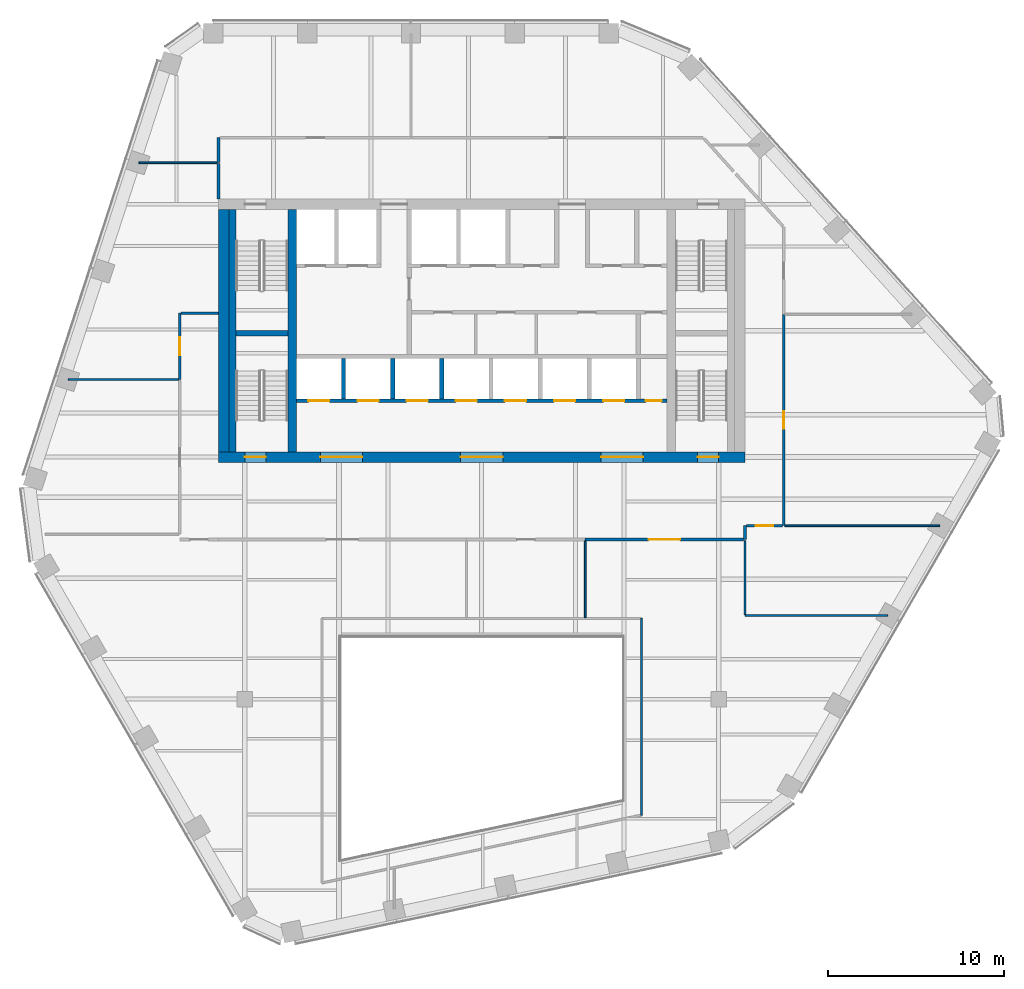
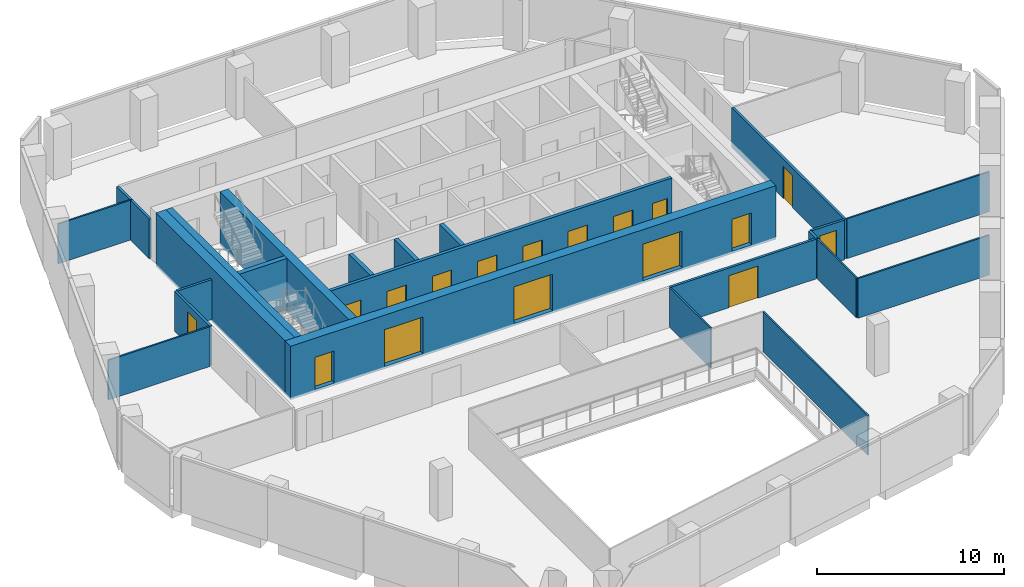
# One storey, part 9 of 16: 24 walls, 17 doors, 17 openings.
"""IFC4 building model written with IfcOpenShell, lengths in metres."""

from ifc_helpers import new_model, si_unit, direction, frame, frame_2d, origin, place, context, subcontext, project, spatial, rectangle, extrude, material, layer, layer_set, type_object, element, fill, save


model = new_model("IFC4")

# Units and contexts
model_context = context("Model", 3, precision=1e-05, world=origin(), true_north=direction((0.0, 1.0)))
body_context = subcontext(model_context, "Body", "Model", "MODEL_VIEW")
ifc_project = project(units=[si_unit("LENGTHUNIT", "METRE"), si_unit("AREAUNIT", "SQUARE_METRE"), si_unit("VOLUMEUNIT", "CUBIC_METRE"), si_unit("PLANEANGLEUNIT", "RADIAN"), si_unit("MASSUNIT", "GRAM", prefix="KILO")], contexts=[model_context])

# Site, building, storey
site_placement = place(None, origin())
site = spatial("IfcSite", under=ifc_project, at=site_placement, CompositionType="ELEMENT")
building_placement = place(site_placement, origin())
building = spatial("IfcBuilding", under=site, at=building_placement, Name="Isthmus Gate Tower", CompositionType="ELEMENT")
storey_placement = place(building_placement, frame((0.0, 0.0, 252.800048828125)))
storey = spatial("IfcBuildingStorey", under=building, at=storey_placement, Name="L64", CompositionType="ELEMENT", Elevation=252.800048828125)

# Walls
ifc_material_1 = material(Name="Fire-rated laminated glass in steel frame", Category="steel")
ifc_layer_1 = layer(ifc_material_1, 0.10009765625)
ifc_layer_set_1 = layer_set([ifc_layer_1], Name="ATRIUM SCREEN GLAZED WALL 100 120 MIN")
wall_type_1 = type_object("IfcWallType", Name="ATRIUM SCREEN GLAZED WALL 100 120 MIN", PredefinedType="PARTITIONING", material=ifc_layer_set_1)
wall_1_placement = place(storey_placement, frame((9.10009765625, -8.89990234375, 0.0), z_axis=(0.0, 0.0, 1.0), x_axis=(0.0, -1.0, 0.0)))
element("IfcWall", 1, at=wall_1_placement, inside=storey, type_object=wall_type_1, Name="L64 atrium screen", PredefinedType="PARTITIONING", context=body_context, shape_type="SweptSolid", body=[
    extrude(rectangle(XDim=11.200927734375, YDim=0.10009765625, at=frame_2d((5.6005859375, 0.0))), origin(), (0.0, 0.0, 1.0), 2.6005859375),
])
ifc_material_2 = material(Name="Gypsum board on steel studs, fire-rated", Category="steel")
ifc_layer_2 = layer(ifc_material_2, 0.14990234375)
ifc_layer_set_2 = layer_set([ifc_layer_2], Name="CORRIDOR WALL 150 60 MIN")
wall_type_2 = type_object("IfcWallType", Name="CORRIDOR WALL 150 60 MIN", PredefinedType="PARTITIONING", material=ifc_layer_set_2)
wall_2_placement = place(storey_placement, frame((15.0, -3.614013671875, 0.0), z_axis=(0.0, 0.0, 1.0), x_axis=(0.0, -1.0, 0.0)))
element("IfcWall", 2, at=wall_2_placement, inside=storey, type_object=wall_type_2, Name="L64 Corridor Wall 150 60 Min", PredefinedType="PARTITIONING", context=body_context, shape_type="SweptSolid", body=[
    extrude(rectangle(XDim=0.785888671875, YDim=0.14990234375, at=frame_2d((0.39306640625, 0.0))), origin(), (0.0, 0.0, 1.0), 2.6005859375),
])

# Wall, opening, door
wall_3_placement = place(storey_placement, frame((14.925048828125, -4.39990234375, 0.0), z_axis=(0.0, 0.0, 1.0), x_axis=(-1.0, 0.0, 0.0)))
wall_3 = element("IfcWall", 3, at=wall_3_placement, inside=storey, type_object=wall_type_2, Name="L64 Corridor Wall 150 60 Min", PredefinedType="PARTITIONING", context=body_context, shape_type="SweptSolid", body=[
    extrude(rectangle(XDim=9.032958984375, YDim=0.14990234375, at=frame_2d((4.5166015625, 0.0))), origin(), (0.0, 0.0, 1.0), 2.6005859375),
])
opening_1_placement = place(wall_3_placement, frame((3.616455078125, 0.0, 0.0)))
opening_1 = element("IfcOpeningElement", 4, at=opening_1_placement, cuts=wall_3, Name="Opening DT-T5D-10", PredefinedType="OPENING", context=body_context, shape_type="SweptSolid", body=[
    extrude(rectangle(XDim=1.800048828125, YDim=2.10009765625, at=frame_2d((0.89990234375, 1.050048828125))), frame((0.0, 0.0849609375, 0.0), z_axis=(0.0, -1.0, 0.0), x_axis=(1.0, 0.0, 0.0)), (0.0, 0.0, 1.0), 0.169921875),
])
ifc_material_3 = material(Name="Solid core timber door leaf, fire-rated", Category="wood")
door_type_1 = type_object("IfcDoorType", Name="FIRE DOOR ROOM 1800 X 2100 60 MIN", OperationType="DOUBLE_DOOR_DOUBLE_SWING", PredefinedType="DOOR", material=ifc_material_3)
door_1_placement = place(opening_1_placement, origin())
door_1 = element("IfcDoor", 5, at=door_1_placement, inside=storey, type_object=door_type_1, Name="L64 room door", OperationType="DOUBLE_DOOR_DOUBLE_SWING", OverallHeight=2.10009765625, OverallWidth=1.800048828125, PredefinedType="DOOR", context=body_context, shape_type="SweptSolid", body=[
    extrude(rectangle(XDim=1.800048828125, YDim=2.10009765625, at=frame_2d((0.89990234375, 1.050048828125))), frame((0.0, 0.02490234375, 0.0), z_axis=(0.0, -1.0, 0.0), x_axis=(1.0, 0.0, 0.0)), (0.0, 0.0, 1.0), 0.050048828125),
])
fill(opening_1, door_1)

wall_4_placement = place(storey_placement, frame((17.199951171875, 8.427978515625, 0.0), z_axis=(0.0, 0.0, 1.0), x_axis=(0.0, -1.0, 0.0)))
wall_4 = element("IfcWall", 6, at=wall_4_placement, inside=storey, type_object=wall_type_2, Name="L64 Corridor Wall 150 60 Min", PredefinedType="PARTITIONING", context=body_context, shape_type="SweptSolid", body=[
    extrude(rectangle(XDim=12.0419921875, YDim=0.14990234375, at=frame_2d((6.02099609375, 0.0))), origin(), (0.0, 0.0, 1.0), 2.6005859375),
])
opening_2_placement = place(wall_4_placement, frame((5.52099609375, 0.0, 0.0)))
opening_2 = element("IfcOpeningElement", 7, at=opening_2_placement, cuts=wall_4, Name="Opening DT-T5D-05", PredefinedType="OPENING", context=body_context, shape_type="SweptSolid", body=[
    extrude(rectangle(XDim=1.0, YDim=2.10009765625, at=frame_2d((0.5, 1.050048828125))), frame((0.0, 0.0849609375, 0.0), z_axis=(0.0, -1.0, 0.0), x_axis=(1.0, 0.0, 0.0)), (0.0, 0.0, 1.0), 0.169921875),
])
ifc_material_4 = material(Name="Solid core timber door leaf, fire-rated", Category="wood")
door_type_2 = type_object("IfcDoorType", Name="FIRE DOOR ROOM 1000 X 2100 60 MIN", OperationType="SINGLE_SWING_LEFT", PredefinedType="DOOR", material=ifc_material_4)
door_2_placement = place(opening_2_placement, origin())
door_2 = element("IfcDoor", 8, at=door_2_placement, inside=storey, type_object=door_type_2, Name="L64 room door", OperationType="SINGLE_SWING_RIGHT", OverallHeight=2.10009765625, OverallWidth=1.0, PredefinedType="DOOR", context=body_context, shape_type="SweptSolid", body=[
    extrude(rectangle(XDim=1.0, YDim=2.10009765625, at=frame_2d((0.5, 1.050048828125))), frame((0.0, 0.02490234375, 0.0), z_axis=(0.0, -1.0, 0.0), x_axis=(1.0, 0.0, 0.0)), (0.0, 0.0, 1.0), 0.050048828125),
])
fill(opening_2, door_2)

wall_5_placement = place(storey_placement, frame((17.125, -3.614013671875, 0.0), z_axis=(0.0, 0.0, 1.0), x_axis=(-1.0, 0.0, 0.0)))
wall_5 = element("IfcWall", 9, at=wall_5_placement, inside=storey, type_object=wall_type_2, Name="L64 Corridor Wall 150 60 Min", PredefinedType="PARTITIONING", context=body_context, shape_type="SweptSolid", body=[
    extrude(rectangle(XDim=2.050048828125, YDim=0.14990234375, at=frame_2d((1.02490234375, 0.0))), origin(), (0.0, 0.0, 1.0), 2.6005859375),
])
opening_3_placement = place(wall_5_placement, frame((0.52490234375, 0.0, 0.0)))
opening_3 = element("IfcOpeningElement", 10, at=opening_3_placement, cuts=wall_5, Name="Opening DT-T5D-07", PredefinedType="OPENING", context=body_context, shape_type="SweptSolid", body=[
    extrude(rectangle(XDim=1.0, YDim=2.10009765625, at=frame_2d((0.5, 1.050048828125))), frame((0.0, 0.0849609375, 0.0), z_axis=(0.0, -1.0, 0.0), x_axis=(1.0, 0.0, 0.0)), (0.0, 0.0, 1.0), 0.169921875),
])
door_3_placement = place(opening_3_placement, origin())
door_3 = element("IfcDoor", 11, at=door_3_placement, inside=storey, type_object=door_type_2, Name="L64 room door", OperationType="SINGLE_SWING_RIGHT", OverallHeight=2.10009765625, OverallWidth=1.0, PredefinedType="DOOR", context=body_context, shape_type="SweptSolid", body=[
    extrude(rectangle(XDim=1.0, YDim=2.10009765625, at=frame_2d((0.5, 1.050048828125))), frame((0.0, 0.02490234375, 0.0), z_axis=(0.0, -1.0, 0.0), x_axis=(1.0, 0.0, 0.0)), (0.0, 0.0, 1.0), 0.050048828125),
])
fill(opening_3, door_3)

# Walls
wall_6_placement = place(storey_placement, frame((-15.0, 17.071044921875, 0.0), z_axis=(0.0, 0.0, 1.0), x_axis=(0.0, 1.0, 0.0)))
element("IfcWall", 12, at=wall_6_placement, inside=storey, type_object=wall_type_2, Name="L64 Corridor Wall 150 60 Min", PredefinedType="PARTITIONING", context=body_context, shape_type="SweptSolid", body=[
    extrude(rectangle(XDim=1.428955078125, YDim=0.14990234375, at=frame_2d((0.71435546875, 0.0))), origin(), (0.0, 0.0, 1.0), 2.6005859375),
])
wall_7_placement = place(storey_placement, frame((-15.001953125, 14.998046875, 0.0), z_axis=(0.0, 0.0, 1.0), x_axis=(0.000965483499, 0.999999533921, 0.0)))
element("IfcWall", 13, at=wall_7_placement, inside=storey, type_object=wall_type_2, Name="L64 Corridor Wall 150 60 Min", PredefinedType="PARTITIONING", context=body_context, shape_type="SweptSolid", body=[
    extrude(rectangle(XDim=2.02294921875, YDim=0.14990234375, at=frame_2d((1.011474609375, 0.0))), origin(), (0.0, 0.0, 1.0), 2.6005859375),
])

# Wall, opening, door
wall_8_placement = place(storey_placement, frame((-17.199951171875, 4.722900390625, 0.0), z_axis=(0.0, 0.0, 1.0), x_axis=(0.0, 1.0, 0.0)))
wall_8 = element("IfcWall", 14, at=wall_8_placement, inside=storey, type_object=wall_type_2, Name="L64 Corridor Wall 150 60 Min", PredefinedType="PARTITIONING", context=body_context, shape_type="SweptSolid", body=[
    extrude(rectangle(XDim=3.777099609375, YDim=0.14990234375, at=frame_2d((1.888671875, 0.0))), origin(), (0.0, 0.0, 1.0), 2.6005859375),
])
opening_4_placement = place(wall_8_placement, frame((1.388427734375, 0.0, 0.0)))
opening_4 = element("IfcOpeningElement", 15, at=opening_4_placement, cuts=wall_8, Name="Opening DT-T5D-03", PredefinedType="OPENING", context=body_context, shape_type="SweptSolid", body=[
    extrude(rectangle(XDim=1.0, YDim=2.10009765625, at=frame_2d((0.5, 1.050048828125))), frame((0.0, 0.0849609375, 0.0), z_axis=(0.0, -1.0, 0.0), x_axis=(1.0, 0.0, 0.0)), (0.0, 0.0, 1.0), 0.169921875),
])
door_4_placement = place(opening_4_placement, origin())
door_4 = element("IfcDoor", 16, at=door_4_placement, inside=storey, type_object=door_type_2, Name="L64 room door", OperationType="SINGLE_SWING_RIGHT", OverallHeight=2.10009765625, OverallWidth=1.0, PredefinedType="DOOR", context=body_context, shape_type="SweptSolid", body=[
    extrude(rectangle(XDim=1.0, YDim=2.10009765625, at=frame_2d((0.5, 1.050048828125))), frame((0.0, 0.02490234375, 0.0), z_axis=(0.0, -1.0, 0.0), x_axis=(1.0, 0.0, 0.0)), (0.0, 0.0, 1.0), 0.050048828125),
])
fill(opening_4, door_4)

# Walls
wall_9_placement = place(storey_placement, frame((-17.125, 8.5, 0.0), z_axis=(0.0, 0.0, 1.0), x_axis=(1.0, 0.0, 0.0)))
element("IfcWall", 17, at=wall_9_placement, inside=storey, type_object=wall_type_2, Name="L64 Corridor Wall 150 60 Min", PredefinedType="PARTITIONING", context=body_context, shape_type="SweptSolid", body=[
    extrude(rectangle(XDim=2.125, YDim=0.14990234375, at=frame_2d((1.0625, 0.0))), origin(), (0.0, 0.0, 1.0), 2.6005859375),
])
ifc_material_5 = material(Name="Concrete f'c 50 MPa", Category="concrete")
ifc_layer_3 = layer(ifc_material_5, 0.5)
ifc_layer_set_3 = layer_set([ifc_layer_3], Name="RC CORE SPINE WALL 500 F'C 50")
wall_type_3 = type_object("IfcWallType", Name="RC CORE SPINE WALL 500 F'C 50", PredefinedType="SOLIDWALL", material=ifc_layer_set_3)
wall_10_placement = place(storey_placement, frame((-10.800048828125, 0.60009765625, -0.150146484375), z_axis=(0.0, 0.0, 1.0), x_axis=(0.0, 1.0, 0.0)))
element("IfcWall", 18, at=wall_10_placement, inside=storey, type_object=wall_type_3, Name="str-corewall-L64-SPW", PredefinedType="SOLIDWALL", context=body_context, shape_type="SweptSolid", body=[
    extrude(rectangle(XDim=13.7998046875, YDim=0.5, at=frame_2d((6.89990234375, 0.0))), origin(), (0.0, 0.0, 1.0), 3.5),
])

# Wall, openings, doors
ifc_material_6 = material(Name="Concrete f'c 50 MPa", Category="concrete")
ifc_layer_4 = layer(ifc_material_6, 0.60009765625)
ifc_layer_set_4 = layer_set([ifc_layer_4], Name="RC CORE WALL 600 F'C 50")
wall_type_4 = type_object("IfcWallType", Name="RC CORE WALL 600 F'C 50", PredefinedType="SOLIDWALL", material=ifc_layer_set_4)
wall_11_placement = place(storey_placement, frame((-15.0, 0.300048828125, -0.150146484375), z_axis=(0.0, 0.0, 1.0), x_axis=(1.0, 0.0, 0.0)))
wall_11 = element("IfcWall", 19, at=wall_11_placement, inside=storey, type_object=wall_type_4, Name="str-corewall-L64-S", PredefinedType="SOLIDWALL", context=body_context, shape_type="SweptSolid", body=[
    extrude(rectangle(XDim=30.0, YDim=0.60009765625, at=frame_2d((15.0, 0.0))), origin(), (0.0, 0.0, 1.0), 3.5),
])
opening_5_placement = place(wall_11_placement, frame((5.800048828125, 0.0, 0.14990234375)))
opening_5 = element("IfcOpeningElement", 20, at=opening_5_placement, cuts=wall_11, Name="Opening DC-A18-10", PredefinedType="OPENING", context=body_context, shape_type="SweptSolid", body=[
    extrude(rectangle(XDim=2.39990234375, YDim=2.39990234375, at=frame_2d((1.199951171875, 1.199951171875))), frame((0.0, 0.31005859375, 0.0), z_axis=(0.0, -1.0, 0.0), x_axis=(1.0, 0.0, 0.0)), (0.0, 0.0, 1.0), 0.6201171875),
])
opening_6_placement = place(wall_11_placement, frame((13.800048828125, 0.0, 0.14990234375)))
opening_6 = element("IfcOpeningElement", 21, at=opening_6_placement, cuts=wall_11, Name="Opening DC-A18-11", PredefinedType="OPENING", context=body_context, shape_type="SweptSolid", body=[
    extrude(rectangle(XDim=2.39990234375, YDim=2.39990234375, at=frame_2d((1.199951171875, 1.199951171875))), frame((0.0, 0.31005859375, 0.0), z_axis=(0.0, -1.0, 0.0), x_axis=(1.0, 0.0, 0.0)), (0.0, 0.0, 1.0), 0.6201171875),
])
opening_7_placement = place(wall_11_placement, frame((21.800048828125, 0.0, 0.14990234375)))
opening_7 = element("IfcOpeningElement", 22, at=opening_7_placement, cuts=wall_11, Name="Opening DC-A18-12", PredefinedType="OPENING", context=body_context, shape_type="SweptSolid", body=[
    extrude(rectangle(XDim=2.39990234375, YDim=2.39990234375, at=frame_2d((1.199951171875, 1.199951171875))), frame((0.0, 0.31005859375, 0.0), z_axis=(0.0, -1.0, 0.0), x_axis=(1.0, 0.0, 0.0)), (0.0, 0.0, 1.0), 0.6201171875),
])
opening_8_placement = place(wall_11_placement, frame((1.5, 0.0, 0.14990234375)))
opening_8 = element("IfcOpeningElement", 23, at=opening_8_placement, cuts=wall_11, Name="Opening DC-A18-17", PredefinedType="OPENING", context=body_context, shape_type="SweptSolid", body=[
    extrude(rectangle(XDim=1.199951171875, YDim=2.10009765625, at=frame_2d((0.60009765625, 1.050048828125))), frame((0.0, 0.31005859375, 0.0), z_axis=(0.0, -1.0, 0.0), x_axis=(1.0, 0.0, 0.0)), (0.0, 0.0, 1.0), 0.6201171875),
])
opening_9_placement = place(wall_11_placement, frame((27.300048828125, 0.0, 0.14990234375)))
opening_9 = element("IfcOpeningElement", 24, at=opening_9_placement, cuts=wall_11, Name="Opening DC-A18-18", PredefinedType="OPENING", context=body_context, shape_type="SweptSolid", body=[
    extrude(rectangle(XDim=1.199951171875, YDim=2.10009765625, at=frame_2d((0.60009765625, 1.050048828125))), frame((0.0, 0.31005859375, 0.0), z_axis=(0.0, -1.0, 0.0), x_axis=(1.0, 0.0, 0.0)), (0.0, 0.0, 1.0), 0.6201171875),
])
ifc_material_7 = material(Name="Laminated safety glass in steel frame, fire-rated", Category="steel")
door_type_3 = type_object("IfcDoorType", Name="LOBBY ENTRANCE FIRE DOOR 2400 X 2400 60 MIN", OperationType="DOUBLE_DOOR_DOUBLE_SWING", PredefinedType="DOOR", material=ifc_material_7)
door_5_placement = place(opening_5_placement, origin())
door_5 = element("IfcDoor", 25, at=door_5_placement, inside=storey, type_object=door_type_3, Name="Lobby Entrance PS-W", OperationType="DOUBLE_DOOR_DOUBLE_SWING", OverallHeight=2.39990234375, OverallWidth=2.39990234375, PredefinedType="DOOR", context=body_context, shape_type="SweptSolid", body=[
    extrude(rectangle(XDim=2.39990234375, YDim=2.39990234375, at=frame_2d((1.199951171875, 1.199951171875))), frame((0.0, 0.02490234375, 0.0), z_axis=(0.0, -1.0, 0.0), x_axis=(1.0, 0.0, 0.0)), (0.0, 0.0, 1.0), 0.050048828125),
])
fill(opening_5, door_5)
door_6_placement = place(opening_6_placement, origin())
door_6 = element("IfcDoor", 26, at=door_6_placement, inside=storey, type_object=door_type_3, Name="Lobby Entrance PS-C", OperationType="DOUBLE_DOOR_DOUBLE_SWING", OverallHeight=2.39990234375, OverallWidth=2.39990234375, PredefinedType="DOOR", context=body_context, shape_type="SweptSolid", body=[
    extrude(rectangle(XDim=2.39990234375, YDim=2.39990234375, at=frame_2d((1.199951171875, 1.199951171875))), frame((0.0, 0.02490234375, 0.0), z_axis=(0.0, -1.0, 0.0), x_axis=(1.0, 0.0, 0.0)), (0.0, 0.0, 1.0), 0.050048828125),
])
fill(opening_6, door_6)
door_7_placement = place(opening_7_placement, origin())
door_7 = element("IfcDoor", 27, at=door_7_placement, inside=storey, type_object=door_type_3, Name="Lobby Entrance PS-E", OperationType="DOUBLE_DOOR_DOUBLE_SWING", OverallHeight=2.39990234375, OverallWidth=2.39990234375, PredefinedType="DOOR", context=body_context, shape_type="SweptSolid", body=[
    extrude(rectangle(XDim=2.39990234375, YDim=2.39990234375, at=frame_2d((1.199951171875, 1.199951171875))), frame((0.0, 0.02490234375, 0.0), z_axis=(0.0, -1.0, 0.0), x_axis=(1.0, 0.0, 0.0)), (0.0, 0.0, 1.0), 0.050048828125),
])
fill(opening_7, door_7)
ifc_material_8 = material(Name="Steel door leaf, fire-rated", Category="steel")
door_type_4 = type_object("IfcDoorType", Name="STAIR FIRE DOOR 1200 X 2100 90 MIN", OperationType="SINGLE_SWING_LEFT", PredefinedType="DOOR", material=ifc_material_8)
door_8_placement = place(opening_8_placement, origin())
door_8 = element("IfcDoor", 28, at=door_8_placement, inside=storey, type_object=door_type_4, Name="Exit Stair 7 Door", OperationType="SINGLE_SWING_LEFT", OverallHeight=2.10009765625, OverallWidth=1.199951171875, PredefinedType="DOOR", context=body_context, shape_type="SweptSolid", body=[
    extrude(rectangle(XDim=1.199951171875, YDim=2.10009765625, at=frame_2d((0.60009765625, 1.050048828125))), frame((0.0, 0.02490234375, 0.0), z_axis=(0.0, -1.0, 0.0), x_axis=(1.0, 0.0, 0.0)), (0.0, 0.0, 1.0), 0.050048828125),
])
fill(opening_8, door_8)
door_9_placement = place(opening_9_placement, origin())
door_9 = element("IfcDoor", 29, at=door_9_placement, inside=storey, type_object=door_type_4, Name="Exit Stair 8 Door", OperationType="SINGLE_SWING_RIGHT", OverallHeight=2.10009765625, OverallWidth=1.199951171875, PredefinedType="DOOR", context=body_context, shape_type="SweptSolid", body=[
    extrude(rectangle(XDim=1.199951171875, YDim=2.10009765625, at=frame_2d((0.60009765625, 1.050048828125))), frame((0.0, 0.02490234375, 0.0), z_axis=(0.0, -1.0, 0.0), x_axis=(1.0, 0.0, 0.0)), (0.0, 0.0, 1.0), 0.050048828125),
])
fill(opening_9, door_9)

# Walls
wall_12_placement = place(storey_placement, frame((-14.699951171875, 0.60009765625, -0.150146484375), z_axis=(0.0, 0.0, 1.0), x_axis=(0.0, 1.0, 0.0)))
element("IfcWall", 30, at=wall_12_placement, inside=storey, type_object=wall_type_4, Name="str-corewall-L64-W", PredefinedType="SOLIDWALL", context=body_context, shape_type="SweptSolid", body=[
    extrude(rectangle(XDim=13.7998046875, YDim=0.60009765625, at=frame_2d((6.89990234375, 0.0))), origin(), (0.0, 0.0, 1.0), 3.5),
])
ifc_material_9 = material(Name="Gypsum board on steel studs, fire-rated", Category="steel")
ifc_layer_5 = layer(ifc_material_9, 0.10009765625)
ifc_layer_set_5 = layer_set([ifc_layer_5], Name="ROOM PARTITION 100 30 MIN")
wall_type_5 = type_object("IfcWallType", Name="ROOM PARTITION 100 30 MIN", PredefinedType="PARTITIONING", material=ifc_layer_set_5)
wall_13_placement = place(storey_placement, frame((-19.534912109375, 17.071044921875, 0.0), z_axis=(0.0, 0.0, 1.0), x_axis=(1.0, 0.0, 0.0)))
element("IfcWall", 31, at=wall_13_placement, inside=storey, type_object=wall_type_5, Name="L64 Room Partition 100 30 Min", PredefinedType="PARTITIONING", context=body_context, shape_type="SweptSolid", body=[
    extrude(rectangle(XDim=4.4599609375, YDim=0.10009765625, at=frame_2d((2.22998046875, 0.0))), origin(), (0.0, 0.0, 1.0), 2.6005859375),
])
wall_14_placement = place(storey_placement, frame((-23.547119140625, 4.722900390625, 0.0), z_axis=(0.0, 0.0, 1.0), x_axis=(1.0, 0.0, 0.0)))
element("IfcWall", 32, at=wall_14_placement, inside=storey, type_object=wall_type_5, Name="L64 Room Partition 100 30 Min", PredefinedType="PARTITIONING", context=body_context, shape_type="SweptSolid", body=[
    extrude(rectangle(XDim=6.272216796875, YDim=0.10009765625, at=frame_2d((3.13623046875, 0.0))), origin(), (0.0, 0.0, 1.0), 2.6005859375),
])
wall_15_placement = place(storey_placement, frame((17.27490234375, -3.614013671875, 0.0), z_axis=(0.0, 0.0, 1.0), x_axis=(0.999999975437, -0.000221643481, 0.0)))
element("IfcWall", 33, at=wall_15_placement, inside=storey, type_object=wall_type_5, Name="L64 Room Partition 100 30 Min", PredefinedType="PARTITIONING", context=body_context, shape_type="SweptSolid", body=[
    extrude(rectangle(XDim=8.81201171875, YDim=0.10009765625, at=frame_2d((4.406005859375, 0.0))), origin(), (0.0, 0.0, 1.0), 2.6005859375),
])
wall_16_placement = place(storey_placement, frame((5.89208984375, -8.85009765625, 0.0), z_axis=(0.0, 0.0, 1.0), x_axis=(0.0, 1.0, 0.0)))
element("IfcWall", 34, at=wall_16_placement, inside=storey, type_object=wall_type_5, Name="L64 Room Partition 100 30 Min", PredefinedType="PARTITIONING", context=body_context, shape_type="SweptSolid", body=[
    extrude(rectangle(XDim=4.375, YDim=0.10009765625, at=frame_2d((2.1875, 0.0))), origin(), (0.0, 0.0, 1.0), 2.6005859375),
])
wall_17_placement = place(storey_placement, frame((15.0, -8.735107421875, 0.0), z_axis=(0.0, 0.0, 1.0), x_axis=(1.0, 0.0, 0.0)))
element("IfcWall", 35, at=wall_17_placement, inside=storey, type_object=wall_type_5, Name="L64 Room Partition 100 30 Min", PredefinedType="PARTITIONING", context=body_context, shape_type="SweptSolid", body=[
    extrude(rectangle(XDim=8.132080078125, YDim=0.10009765625, at=frame_2d((4.06591796875, 0.0))), origin(), (0.0, 0.0, 1.0), 2.6005859375),
])
wall_18_placement = place(storey_placement, frame((15.0, -8.68505859375, 0.0), z_axis=(0.0, 0.0, 1.0), x_axis=(0.0, 1.0, 0.0)))
element("IfcWall", 36, at=wall_18_placement, inside=storey, type_object=wall_type_5, Name="L64 Room Partition 100 30 Min", PredefinedType="PARTITIONING", context=body_context, shape_type="SweptSolid", body=[
    extrude(rectangle(XDim=4.2099609375, YDim=0.10009765625, at=frame_2d((2.10498046875, 0.0))), origin(), (0.0, 0.0, 1.0), 2.6005859375),
])

# Wall, openings, doors
ifc_material_10 = material(Name="Fire-rated blockwork masonry, 15 MPa", Category="masonry")
ifc_layer_6 = layer(ifc_material_10, 0.199951171875)
ifc_layer_set_6 = layer_set([ifc_layer_6], Name="SHAFT FRONT WALL 200 120 MIN")
wall_type_6 = type_object("IfcWallType", Name="SHAFT FRONT WALL 200 120 MIN", PredefinedType="PARTITIONING", material=ifc_layer_set_6)
wall_19_placement = place(storey_placement, frame((-10.550048828125, 3.5, 0.0), z_axis=(0.0, 0.0, 1.0), x_axis=(1.0, 0.0, 0.0)))
wall_19 = element("IfcWall", 37, at=wall_19_placement, inside=storey, type_object=wall_type_6, Name="L64 SHAFT FRONT WALL 200 120 MIN", PredefinedType="PARTITIONING", context=body_context, shape_type="SweptSolid", body=[
    extrude(rectangle(XDim=21.10009765625, YDim=0.199951171875, at=frame_2d((10.550048828125, 0.0))), origin(), (0.0, 0.0, 1.0), 3.349853515625),
])
opening_10_placement = place(wall_19_placement, frame((0.675048828125, 0.0, 0.0)))
opening_10 = element("IfcOpeningElement", 38, at=opening_10_placement, cuts=wall_19, Name="Opening LD-LC1", PredefinedType="OPENING", context=body_context, shape_type="SweptSolid", body=[
    extrude(rectangle(XDim=1.199951171875, YDim=2.10009765625, at=frame_2d((0.60009765625, 1.050048828125))), frame((0.0, 0.10986328125, 0.0), z_axis=(0.0, -1.0, 0.0), x_axis=(1.0, 0.0, 0.0)), (0.0, 0.0, 1.0), 0.219970703125),
])
opening_11_placement = place(wall_19_placement, frame((3.47509765625, 0.0, 0.0)))
opening_11 = element("IfcOpeningElement", 39, at=opening_11_placement, cuts=wall_19, Name="Opening LD-LC2", PredefinedType="OPENING", context=body_context, shape_type="SweptSolid", body=[
    extrude(rectangle(XDim=1.199951171875, YDim=2.10009765625, at=frame_2d((0.60009765625, 1.050048828125))), frame((0.0, 0.10986328125, 0.0), z_axis=(0.0, -1.0, 0.0), x_axis=(1.0, 0.0, 0.0)), (0.0, 0.0, 1.0), 0.219970703125),
])
opening_12_placement = place(wall_19_placement, frame((6.27490234375, 0.0, 0.0)))
opening_12 = element("IfcOpeningElement", 40, at=opening_12_placement, cuts=wall_19, Name="Opening LD-LC3", PredefinedType="OPENING", context=body_context, shape_type="SweptSolid", body=[
    extrude(rectangle(XDim=1.199951171875, YDim=2.10009765625, at=frame_2d((0.60009765625, 1.050048828125))), frame((0.0, 0.10986328125, 0.0), z_axis=(0.0, -1.0, 0.0), x_axis=(1.0, 0.0, 0.0)), (0.0, 0.0, 1.0), 0.219970703125),
])
opening_13_placement = place(wall_19_placement, frame((9.074951171875, 0.0, 0.0)))
opening_13 = element("IfcOpeningElement", 41, at=opening_13_placement, cuts=wall_19, Name="Opening LD-LC4", PredefinedType="OPENING", context=body_context, shape_type="SweptSolid", body=[
    extrude(rectangle(XDim=1.199951171875, YDim=2.10009765625, at=frame_2d((0.60009765625, 1.050048828125))), frame((0.0, 0.10986328125, 0.0), z_axis=(0.0, -1.0, 0.0), x_axis=(1.0, 0.0, 0.0)), (0.0, 0.0, 1.0), 0.219970703125),
])
opening_14_placement = place(wall_19_placement, frame((11.875, 0.0, 0.0)))
opening_14 = element("IfcOpeningElement", 42, at=opening_14_placement, cuts=wall_19, Name="Opening LD-LC5", PredefinedType="OPENING", context=body_context, shape_type="SweptSolid", body=[
    extrude(rectangle(XDim=1.199951171875, YDim=2.10009765625, at=frame_2d((0.60009765625, 1.050048828125))), frame((0.0, 0.10986328125, 0.0), z_axis=(0.0, -1.0, 0.0), x_axis=(1.0, 0.0, 0.0)), (0.0, 0.0, 1.0), 0.219970703125),
])
opening_15_placement = place(wall_19_placement, frame((14.675048828125, 0.0, 0.0)))
opening_15 = element("IfcOpeningElement", 43, at=opening_15_placement, cuts=wall_19, Name="Opening LD-LC6", PredefinedType="OPENING", context=body_context, shape_type="SweptSolid", body=[
    extrude(rectangle(XDim=1.199951171875, YDim=2.10009765625, at=frame_2d((0.60009765625, 1.050048828125))), frame((0.0, 0.10986328125, 0.0), z_axis=(0.0, -1.0, 0.0), x_axis=(1.0, 0.0, 0.0)), (0.0, 0.0, 1.0), 0.219970703125),
])
opening_16_placement = place(wall_19_placement, frame((17.47509765625, 0.0, 0.0)))
opening_16 = element("IfcOpeningElement", 44, at=opening_16_placement, cuts=wall_19, Name="Opening LD-LC7", PredefinedType="OPENING", context=body_context, shape_type="SweptSolid", body=[
    extrude(rectangle(XDim=1.199951171875, YDim=2.10009765625, at=frame_2d((0.60009765625, 1.050048828125))), frame((0.0, 0.10986328125, 0.0), z_axis=(0.0, -1.0, 0.0), x_axis=(1.0, 0.0, 0.0)), (0.0, 0.0, 1.0), 0.219970703125),
])
opening_17_placement = place(wall_19_placement, frame((19.89990234375, 0.0, 0.0)))
opening_17 = element("IfcOpeningElement", 45, at=opening_17_placement, cuts=wall_19, Name="Opening DC-A18-02", PredefinedType="OPENING", context=body_context, shape_type="SweptSolid", body=[
    extrude(rectangle(XDim=0.89990234375, YDim=2.10009765625, at=frame_2d((0.449951171875, 1.050048828125))), frame((0.0, 0.10986328125, 0.0), z_axis=(0.0, -1.0, 0.0), x_axis=(1.0, 0.0, 0.0)), (0.0, 0.0, 1.0), 0.219970703125),
])
ifc_material_11 = material(Name="Stainless steel sliding leaf", Category="steel")
door_type_5 = type_object("IfcDoorType", Name="LIFT LANDING FIRE DOOR 1200 X 2100 90 MIN", OperationType="DOUBLE_DOOR_SLIDING", PredefinedType="DOOR", material=ifc_material_11)
door_10_placement = place(opening_10_placement, origin())
door_10 = element("IfcDoor", 46, at=door_10_placement, inside=storey, type_object=door_type_5, Name="Lift Landing Door LC1", OperationType="DOUBLE_DOOR_SLIDING", OverallHeight=2.10009765625, OverallWidth=1.199951171875, PredefinedType="DOOR", context=body_context, shape_type="SweptSolid", body=[
    extrude(rectangle(XDim=1.199951171875, YDim=2.10009765625, at=frame_2d((0.60009765625, 1.050048828125))), frame((0.0, 0.02490234375, 0.0), z_axis=(0.0, -1.0, 0.0), x_axis=(1.0, 0.0, 0.0)), (0.0, 0.0, 1.0), 0.050048828125),
])
fill(opening_10, door_10)
door_11_placement = place(opening_11_placement, origin())
door_11 = element("IfcDoor", 47, at=door_11_placement, inside=storey, type_object=door_type_5, Name="Lift Landing Door LC2", OperationType="DOUBLE_DOOR_SLIDING", OverallHeight=2.10009765625, OverallWidth=1.199951171875, PredefinedType="DOOR", context=body_context, shape_type="SweptSolid", body=[
    extrude(rectangle(XDim=1.199951171875, YDim=2.10009765625, at=frame_2d((0.60009765625, 1.050048828125))), frame((0.0, 0.02490234375, 0.0), z_axis=(0.0, -1.0, 0.0), x_axis=(1.0, 0.0, 0.0)), (0.0, 0.0, 1.0), 0.050048828125),
])
fill(opening_11, door_11)
door_12_placement = place(opening_12_placement, origin())
door_12 = element("IfcDoor", 48, at=door_12_placement, inside=storey, type_object=door_type_5, Name="Lift Landing Door LC3", OperationType="DOUBLE_DOOR_SLIDING", OverallHeight=2.10009765625, OverallWidth=1.199951171875, PredefinedType="DOOR", context=body_context, shape_type="SweptSolid", body=[
    extrude(rectangle(XDim=1.199951171875, YDim=2.10009765625, at=frame_2d((0.60009765625, 1.050048828125))), frame((0.0, 0.02490234375, 0.0), z_axis=(0.0, -1.0, 0.0), x_axis=(1.0, 0.0, 0.0)), (0.0, 0.0, 1.0), 0.050048828125),
])
fill(opening_12, door_12)
door_13_placement = place(opening_13_placement, origin())
door_13 = element("IfcDoor", 49, at=door_13_placement, inside=storey, type_object=door_type_5, Name="Lift Landing Door LC4", OperationType="DOUBLE_DOOR_SLIDING", OverallHeight=2.10009765625, OverallWidth=1.199951171875, PredefinedType="DOOR", context=body_context, shape_type="SweptSolid", body=[
    extrude(rectangle(XDim=1.199951171875, YDim=2.10009765625, at=frame_2d((0.60009765625, 1.050048828125))), frame((0.0, 0.02490234375, 0.0), z_axis=(0.0, -1.0, 0.0), x_axis=(1.0, 0.0, 0.0)), (0.0, 0.0, 1.0), 0.050048828125),
])
fill(opening_13, door_13)
door_14_placement = place(opening_14_placement, origin())
door_14 = element("IfcDoor", 50, at=door_14_placement, inside=storey, type_object=door_type_5, Name="Lift Landing Door LC5", OperationType="DOUBLE_DOOR_SLIDING", OverallHeight=2.10009765625, OverallWidth=1.199951171875, PredefinedType="DOOR", context=body_context, shape_type="SweptSolid", body=[
    extrude(rectangle(XDim=1.199951171875, YDim=2.10009765625, at=frame_2d((0.60009765625, 1.050048828125))), frame((0.0, 0.02490234375, 0.0), z_axis=(0.0, -1.0, 0.0), x_axis=(1.0, 0.0, 0.0)), (0.0, 0.0, 1.0), 0.050048828125),
])
fill(opening_14, door_14)
door_15_placement = place(opening_15_placement, origin())
door_15 = element("IfcDoor", 51, at=door_15_placement, inside=storey, type_object=door_type_5, Name="Lift Landing Door LC6", OperationType="DOUBLE_DOOR_SLIDING", OverallHeight=2.10009765625, OverallWidth=1.199951171875, PredefinedType="DOOR", context=body_context, shape_type="SweptSolid", body=[
    extrude(rectangle(XDim=1.199951171875, YDim=2.10009765625, at=frame_2d((0.60009765625, 1.050048828125))), frame((0.0, 0.02490234375, 0.0), z_axis=(0.0, -1.0, 0.0), x_axis=(1.0, 0.0, 0.0)), (0.0, 0.0, 1.0), 0.050048828125),
])
fill(opening_15, door_15)
door_16_placement = place(opening_16_placement, origin())
door_16 = element("IfcDoor", 52, at=door_16_placement, inside=storey, type_object=door_type_5, Name="Lift Landing Door LC7", OperationType="DOUBLE_DOOR_SLIDING", OverallHeight=2.10009765625, OverallWidth=1.199951171875, PredefinedType="DOOR", context=body_context, shape_type="SweptSolid", body=[
    extrude(rectangle(XDim=1.199951171875, YDim=2.10009765625, at=frame_2d((0.60009765625, 1.050048828125))), frame((0.0, 0.02490234375, 0.0), z_axis=(0.0, -1.0, 0.0), x_axis=(1.0, 0.0, 0.0)), (0.0, 0.0, 1.0), 0.050048828125),
])
fill(opening_16, door_16)
ifc_material_12 = material(Name="Steel door leaf, fire-rated", Category="steel")
door_type_6 = type_object("IfcDoorType", Name="RISER FIRE DOOR 900 X 2100 90 MIN", OperationType="SINGLE_SWING_LEFT", PredefinedType="DOOR", material=ifc_material_12)
door_17_placement = place(opening_17_placement, origin())
door_17 = element("IfcDoor", 53, at=door_17_placement, inside=storey, type_object=door_type_6, Name="Riser Door", OperationType="SINGLE_SWING_RIGHT", OverallHeight=2.10009765625, OverallWidth=0.89990234375, PredefinedType="DOOR", context=body_context, shape_type="SweptSolid", body=[
    extrude(rectangle(XDim=0.89990234375, YDim=2.10009765625, at=frame_2d((0.449951171875, 1.050048828125))), frame((0.0, 0.02490234375, 0.0), z_axis=(0.0, -1.0, 0.0), x_axis=(1.0, 0.0, 0.0)), (0.0, 0.0, 1.0), 0.050048828125),
])
fill(opening_17, door_17)

# Walls
ifc_material_13 = material(Name="Fire-rated blockwork masonry, 15 MPa", Category="masonry")
ifc_layer_7 = layer(ifc_material_13, 0.25)
ifc_layer_set_7 = layer_set([ifc_layer_7], Name="SHAFT WALL 250 120 MIN")
wall_type_7 = type_object("IfcWallType", Name="SHAFT WALL 250 120 MIN", PredefinedType="PARTITIONING", material=ifc_layer_set_7)
for number, where, z_axis, x_axis, name in (
    (54, (-7.875, 3.60009765625, 0.0), (0.0, 0.0, 1.0), (0.0, 1.0, 0.0), "L64 SHAFT WALL 250 120 MIN"),
    (55, (-5.074951171875, 3.60009765625, 0.0), (0.0, 0.0, 1.0), (0.0, 1.0, 0.0), "L64 SHAFT WALL 250 120 MIN"),
    (56, (-2.27490234375, 3.60009765625, 0.0), (0.0, 0.0, 1.0), (0.0, 1.0, 0.0), "L64 SHAFT WALL 250 120 MIN"),
):
    element("IfcWall", number, at=place(storey_placement, frame(where, z_axis=z_axis, x_axis=x_axis)), inside=storey, type_object=wall_type_7, Name=name, PredefinedType="PARTITIONING", context=body_context, shape_type="SweptSolid", body=[
        extrude(rectangle(XDim=2.2998046875, YDim=0.25, at=frame_2d((1.14990234375, 0.0))), origin(), (0.0, 0.0, 1.0), 3.349853515625),
    ])
ifc_material_14 = material(Name="Concrete f'c 40 MPa", Category="concrete")
ifc_layer_8 = layer(ifc_material_14, 0.300048828125)
ifc_layer_set_8 = layer_set([ifc_layer_8], Name="STAIR ENCLOSURE WALL 300 180 MIN")
wall_type_8 = type_object("IfcWallType", Name="STAIR ENCLOSURE WALL 300 180 MIN", PredefinedType="SOLIDWALL", material=ifc_layer_set_8)
wall_20_placement = place(storey_placement, frame((-14.0, 7.35009765625, 0.0), z_axis=(0.0, 0.0, 1.0), x_axis=(1.0, 0.0, 0.0)))
element("IfcWall", 57, at=wall_20_placement, inside=storey, type_object=wall_type_8, Name="L64 STAIR ENCLOSURE WALL 300 180 MIN", PredefinedType="SOLIDWALL", context=body_context, shape_type="SweptSolid", body=[
    extrude(rectangle(XDim=2.949951171875, YDim=0.300048828125, at=frame_2d((1.47509765625, 0.0))), origin(), (0.0, 0.0, 1.0), 3.349853515625),
])
ifc_material_15 = material(Name="Concrete f'c 40 MPa", Category="concrete")
ifc_layer_9 = layer(ifc_material_15, 0.39990234375)
ifc_layer_set_9 = layer_set([ifc_layer_9], Name="STAIR ENCLOSURE WALL 400 180 MIN")
wall_type_9 = type_object("IfcWallType", Name="STAIR ENCLOSURE WALL 400 180 MIN", PredefinedType="SOLIDWALL", material=ifc_layer_set_9)
wall_21_placement = place(storey_placement, frame((-14.199951171875, 0.60009765625, 0.0), z_axis=(0.0, 0.0, 1.0), x_axis=(0.0, 1.0, 0.0)))
element("IfcWall", 58, at=wall_21_placement, inside=storey, type_object=wall_type_9, Name="L64 STAIR ENCLOSURE WALL 400 180 MIN", PredefinedType="SOLIDWALL", context=body_context, shape_type="SweptSolid", body=[
    extrude(rectangle(XDim=13.7998046875, YDim=0.39990234375, at=frame_2d((6.89990234375, 0.0))), origin(), (0.0, 0.0, 1.0), 3.349853515625),
])

save(model, "model.ifc")
